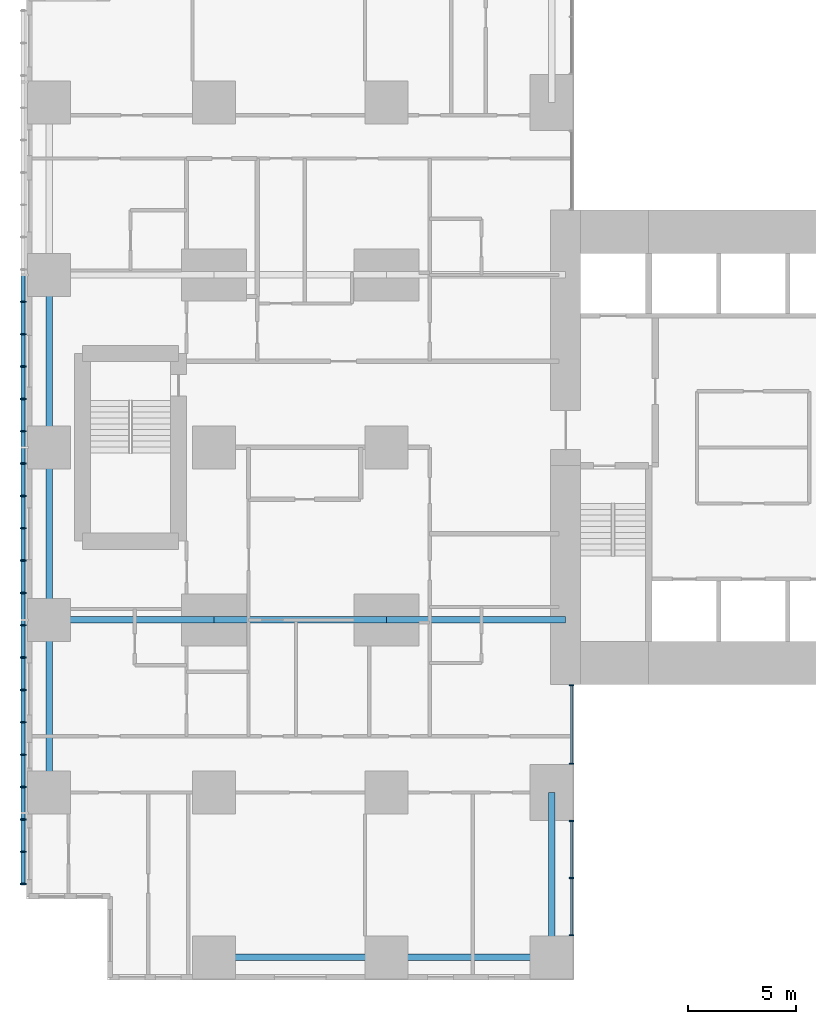
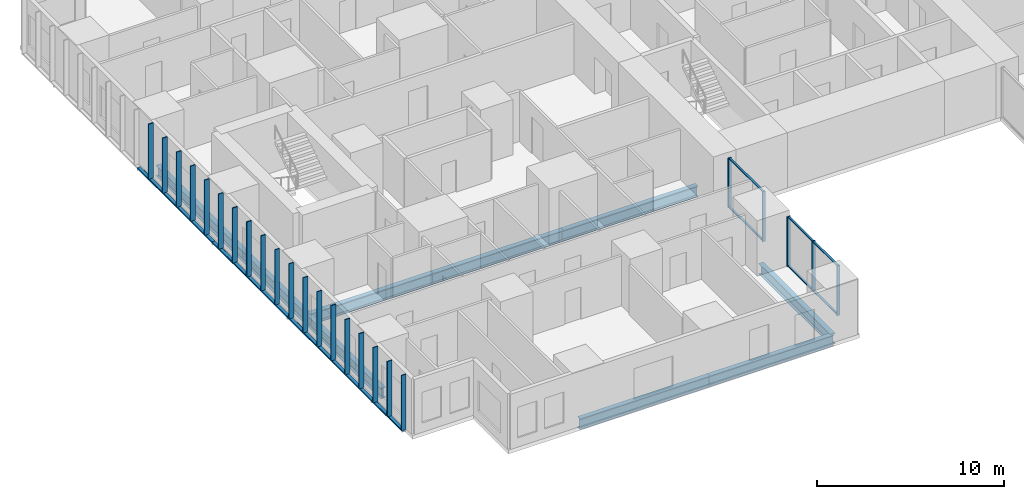
# One storey, part 2 of 20: 33 members, 9 beams, 2 elements without a shape of their own.
"""IFC4 building model written with IfcOpenShell, lengths in metres."""

from ifc_helpers import new_model, si_unit, direction, frame, origin, origin_2d, place, context, subcontext, project, spatial, rectangle, hollow_rectangle, i_section, extrude, material, layer, layer_set, material_profile, profile_set, type_object, element, aggregate, save


model = new_model("IFC4")

# Units and contexts
model_context = context("Model", 3, precision=1e-05, world=origin(), true_north=direction((0.0, 1.0)))
body_context = subcontext(model_context, "Body", "Model", "MODEL_VIEW")
ifc_project = project(units=[si_unit("LENGTHUNIT", "METRE"), si_unit("AREAUNIT", "SQUARE_METRE"), si_unit("VOLUMEUNIT", "CUBIC_METRE"), si_unit("PLANEANGLEUNIT", "RADIAN"), si_unit("MASSUNIT", "GRAM", prefix="KILO")], contexts=[model_context])

# Site, building, storey
site_placement = place(None, origin())
site = spatial("IfcSite", under=ifc_project, at=site_placement, CompositionType="ELEMENT")
building_placement = place(site_placement, origin())
building = spatial("IfcBuilding", under=site, at=building_placement, Name="Cleftline Residences", CompositionType="ELEMENT")
storey_placement = place(building_placement, frame((0.0, 0.0, 87.199951171875)))
storey = spatial("IfcBuildingStorey", under=building, at=storey_placement, Name="L22", CompositionType="ELEMENT", Elevation=87.199951171875)

# Members
ifc_material_1 = material(Name="Steel S355, hot-dip galvanised", Category="steel")
ifc_material_profile_1 = material_profile(ifc_material_1, hollow_rectangle(XDim=0.10009765625, YDim=0.199951171875, WallThickness=0.008056640625, InnerFilletRadius=0.008056640625, OuterFilletRadius=0.011962890625, at=origin_2d()))
ifc_profile_set_1 = profile_set([ifc_material_profile_1], Name="Steel S355, hot-dip galvanised")
member_type_1 = type_object("IfcMemberType", Name="BAGUETTE CARRIER RHS 200X100X8", PredefinedType="USERDEFINED", material=ifc_profile_set_1)
for number, where, z_axis, x_axis, name in (
    (1, (-0.85009765625, 32.0, -0.050048828125), (0.0, -1.0, 0.0), (0.0, 0.0, 1.0), "Baguette carrier"),
    (2, (-0.85009765625, 24.0, -0.050048828125), (0.0, -1.0, 0.0), (0.0, 0.0, 1.0), "Baguette carrier"),
):
    element("IfcMember", number, at=place(storey_placement, frame(where, z_axis=z_axis, x_axis=x_axis)), inside=storey, type_object=member_type_1, Name=name, ObjectType="BAGUETTE CARRIER", PredefinedType="USERDEFINED", context=body_context, shape_type="SweptSolid", body=[
        extrude(hollow_rectangle(XDim=0.10009765625, YDim=0.199951171875, WallThickness=0.008056640625, InnerFilletRadius=0.008056640625, OuterFilletRadius=0.011962890625, at=origin_2d()), origin(), (0.0, 0.0, 1.0), 8.0),
    ])
member_1_placement = place(storey_placement, frame((-0.85009765625, 16.0, -0.050048828125), z_axis=(0.0, -1.0, 0.0), x_axis=(0.0, 0.0, 1.0)))
element("IfcMember", 3, at=member_1_placement, inside=storey, type_object=member_type_1, Name="Baguette carrier", ObjectType="BAGUETTE CARRIER", PredefinedType="USERDEFINED", context=body_context, shape_type="SweptSolid", body=[
    extrude(hollow_rectangle(XDim=0.10009765625, YDim=0.199951171875, WallThickness=0.008056640625, InnerFilletRadius=0.008056640625, OuterFilletRadius=0.011962890625, at=origin_2d()), origin(), (0.0, 0.0, 1.0), 12.300048828125),
])

# Beams
ifc_material_2 = material(Name="Steel S355", Category="steel")
ifc_material_profile_2 = material_profile(ifc_material_2, i_section(OverallWidth=0.300048828125, OverallDepth=0.699951171875, WebThickness=0.01708984375, FlangeThickness=0.031982421875, FilletRadius=0.027099609375, at=origin_2d()))
ifc_profile_set_2 = profile_set([ifc_material_profile_2], Name="Steel S355")
beam_type_1 = type_object("IfcBeamType", Name="BEAM HEB 700", PredefinedType="BEAM", material=ifc_profile_set_2)
for number, where, z_axis, x_axis, name in (
    (4, (0.35009765625, 8.0, -0.599853515625), (0.0, 1.0, 0.0), (-1.0, 0.0, 0.0), "Edge beam"),
    (5, (0.35009765625, 16.0, -0.599853515625), (0.0, 1.0, 0.0), (-1.0, 0.0, 0.0), "Edge beam"),
    (6, (0.35009765625, 24.0, -0.599853515625), (0.0, 1.0, 0.0), (-1.0, 0.0, 0.0), "Edge beam"),
    (7, (8.0, 0.35009765625, -0.599853515625), (1.0, 0.0, 0.0), (0.0, 1.0, 0.0), "Edge beam"),
):
    element("IfcBeam", number, at=place(storey_placement, frame(where, z_axis=z_axis, x_axis=x_axis)), inside=storey, type_object=beam_type_1, Name=name, PredefinedType="BEAM", context=body_context, shape_type="SweptSolid", body=[
        extrude(i_section(OverallWidth=0.300048828125, OverallDepth=0.699951171875, WebThickness=0.01708984375, FlangeThickness=0.031982421875, FilletRadius=0.027099609375, at=origin_2d()), origin(), (0.0, 0.0, 1.0), 8.0),
    ])
for number, where, z_axis, x_axis, name in (
    (8, (16.0, 0.35009765625, -0.599853515625), (1.0, 0.0, 0.0), (0.0, 1.0, 0.0), "Edge beam"),
    (9, (23.64990234375, 0.35009765625, -0.599853515625), (0.0, 1.0, 0.0), (-1.0, 0.0, 0.0), "Edge beam"),
):
    element("IfcBeam", number, at=place(storey_placement, frame(where, z_axis=z_axis, x_axis=x_axis)), inside=storey, type_object=beam_type_1, Name=name, PredefinedType="BEAM", context=body_context, shape_type="SweptSolid", body=[
        extrude(i_section(OverallWidth=0.300048828125, OverallDepth=0.699951171875, WebThickness=0.01708984375, FlangeThickness=0.031982421875, FilletRadius=0.027099609375, at=origin_2d()), origin(), (0.0, 0.0, 1.0), 7.64990234375),
    ])
ifc_material_3 = material(Name="Steel S355", Category="steel")
ifc_material_profile_3 = material_profile(ifc_material_3, i_section(OverallWidth=0.303955078125, OverallDepth=0.716064453125, WebThickness=0.02099609375, FlangeThickness=0.0400390625, FilletRadius=0.027099609375, at=origin_2d()))
ifc_profile_set_3 = profile_set([ifc_material_profile_3], Name="Steel S355")
beam_type_2 = type_object("IfcBeamType", Name="BEAM HEM 700", PredefinedType="BEAM", material=ifc_profile_set_3)
beam_1_placement = place(storey_placement, frame((0.35009765625, 16.0, -0.60791015625), z_axis=(1.0, 0.0, 0.0), x_axis=(0.0, 1.0, 0.0)))
element("IfcBeam", 10, at=beam_1_placement, inside=storey, type_object=beam_type_2, Name="Band beam", PredefinedType="BEAM", context=body_context, shape_type="SweptSolid", body=[
    extrude(i_section(OverallWidth=0.303955078125, OverallDepth=0.716064453125, WebThickness=0.02099609375, FlangeThickness=0.0400390625, FilletRadius=0.027099609375, at=origin_2d()), origin(), (0.0, 0.0, 1.0), 7.64990234375),
])
beam_2_placement = place(storey_placement, frame((8.0, 16.0, -0.60791015625), z_axis=(1.0, 0.0, 0.0), x_axis=(0.0, 1.0, 0.0)))
element("IfcBeam", 11, at=beam_2_placement, inside=storey, type_object=beam_type_2, Name="Band beam", PredefinedType="BEAM", context=body_context, shape_type="SweptSolid", body=[
    extrude(i_section(OverallWidth=0.303955078125, OverallDepth=0.716064453125, WebThickness=0.02099609375, FlangeThickness=0.0400390625, FilletRadius=0.027099609375, at=origin_2d()), origin(), (0.0, 0.0, 1.0), 8.0),
])
beam_3_placement = place(storey_placement, frame((16.0, 16.0, -0.60791015625), z_axis=(1.0, 0.0, 0.0), x_axis=(0.0, 1.0, 0.0)))
element("IfcBeam", 12, at=beam_3_placement, inside=storey, type_object=beam_type_2, Name="Band beam", PredefinedType="BEAM", context=body_context, shape_type="SweptSolid", body=[
    extrude(i_section(OverallWidth=0.303955078125, OverallDepth=0.716064453125, WebThickness=0.02099609375, FlangeThickness=0.0400390625, FilletRadius=0.027099609375, at=origin_2d()), origin(), (0.0, 0.0, 1.0), 8.300048828125),
])

# Curtain wall, members
ifc_material_4 = material(Name="Aluminium framed curtain wall", Category="aluminium")
ifc_layer = layer(ifc_material_4, 0.199951171875)
ifc_layer_set = layer_set([ifc_layer], Name="CW1 CLEFT GLAZING")
curtain_wall_type = type_object("IfcCurtainWallType", Name="CW1 CLEFT GLAZING", PredefinedType="NOTDEFINED", material=ifc_layer_set)
curtain_wall_1_placement = place(storey_placement, origin())
curtain_wall_1 = element("IfcCurtainWall", 13, at=curtain_wall_1_placement, inside=storey, type_object=curtain_wall_type, Name="Curtain wall CW1", PredefinedType="NOTDEFINED")
ifc_material_5 = material(Name="Aluminium mullion", Category="aluminium")
ifc_material_profile_4 = material_profile(ifc_material_5, rectangle(XDim=0.199951171875, YDim=0.06005859375, at=origin_2d()))
ifc_profile_set_4 = profile_set([ifc_material_profile_4], Name="Aluminium mullion")
member_type_2 = type_object("IfcMemberType", Name="CW1 MULLION", PredefinedType="MULLION", material=ifc_profile_set_4)
member_2_placement = place(storey_placement, frame((24.574951171875, 1.3798828125, 0.0), z_axis=(0.0, 0.0, 1.0), x_axis=(-1.0, 0.0, 0.0)))
member_2 = element("IfcMember", 14, at=member_2_placement, type_object=member_type_2, Name="CW1 mullion 1", PredefinedType="MULLION", context=body_context, shape_type="SweptSolid", body=[
    extrude(rectangle(XDim=0.199951171875, YDim=0.06005859375, at=origin_2d()), origin(), (0.0, 0.0, 1.0), 3.25),
])
member_3_placement = place(storey_placement, frame((24.574951171875, 4.02490234375, 0.0), z_axis=(0.0, 0.0, 1.0), x_axis=(-1.0, 0.0, 0.0)))
member_3 = element("IfcMember", 15, at=member_3_placement, type_object=member_type_2, Name="CW1 mullion 2", PredefinedType="MULLION", context=body_context, shape_type="SweptSolid", body=[
    extrude(rectangle(XDim=0.199951171875, YDim=0.06005859375, at=origin_2d()), origin(), (0.0, 0.0, 1.0), 3.25),
])
member_4_placement = place(storey_placement, frame((24.574951171875, 6.669921875, 0.0), z_axis=(0.0, 0.0, 1.0), x_axis=(-1.0, 0.0, 0.0)))
member_4 = element("IfcMember", 16, at=member_4_placement, type_object=member_type_2, Name="CW1 mullion 3", PredefinedType="MULLION", context=body_context, shape_type="SweptSolid", body=[
    extrude(rectangle(XDim=0.199951171875, YDim=0.06005859375, at=origin_2d()), origin(), (0.0, 0.0, 1.0), 3.25),
])

curtain_wall_2_placement = place(storey_placement, origin())
curtain_wall_2 = element("IfcCurtainWall", 17, at=curtain_wall_2_placement, inside=storey, type_object=curtain_wall_type, Name="Curtain wall CW1", PredefinedType="NOTDEFINED")
member_5_placement = place(storey_placement, frame((24.574951171875, 9.330078125, 0.0), z_axis=(0.0, 0.0, 1.0), x_axis=(-1.0, 0.0, 0.0)))
member_5 = element("IfcMember", 18, at=member_5_placement, type_object=member_type_2, Name="CW1 mullion 1", PredefinedType="MULLION", context=body_context, shape_type="SweptSolid", body=[
    extrude(rectangle(XDim=0.199951171875, YDim=0.06005859375, at=origin_2d()), origin(), (0.0, 0.0, 1.0), 3.25),
])
member_6_placement = place(storey_placement, frame((24.574951171875, 12.969970703125, 0.0), z_axis=(0.0, 0.0, 1.0), x_axis=(-1.0, 0.0, 0.0)))
member_6 = element("IfcMember", 19, at=member_6_placement, type_object=member_type_2, Name="CW1 mullion 2", PredefinedType="MULLION", context=body_context, shape_type="SweptSolid", body=[
    extrude(rectangle(XDim=0.199951171875, YDim=0.06005859375, at=origin_2d()), origin(), (0.0, 0.0, 1.0), 3.25),
])

# Member
ifc_material_6 = material(Name="Aluminium transom", Category="aluminium")
ifc_material_profile_5 = material_profile(ifc_material_6, rectangle(XDim=0.1201171875, YDim=0.06005859375, at=origin_2d()))
ifc_profile_set_5 = profile_set([ifc_material_profile_5], Name="Aluminium transom")
member_type_3 = type_object("IfcMemberType", Name="CW1 TRANSOM", PredefinedType="USERDEFINED", material=ifc_profile_set_5)
member_7_placement = place(storey_placement, frame((24.574951171875, 1.409912109375, 0.030029296875), z_axis=(0.0, 1.0, 0.0), x_axis=(-1.0, 0.0, 0.0)))
member_7 = element("IfcMember", 20, at=member_7_placement, type_object=member_type_3, Name="CW1 transom 1.1", ObjectType="TRANSOM", PredefinedType="USERDEFINED", context=body_context, shape_type="SweptSolid", body=[
    extrude(rectangle(XDim=0.1201171875, YDim=0.06005859375, at=origin_2d()), origin(), (0.0, 0.0, 1.0), 2.585205078125),
])

member_8_placement = place(storey_placement, frame((24.574951171875, 1.409912109375, 3.219970703125), z_axis=(0.0, 1.0, 0.0), x_axis=(-1.0, 0.0, 0.0)))
member_8 = element("IfcMember", 21, at=member_8_placement, type_object=member_type_3, Name="CW1 transom 1.2", ObjectType="TRANSOM", PredefinedType="USERDEFINED", context=body_context, shape_type="SweptSolid", body=[
    extrude(rectangle(XDim=0.1201171875, YDim=0.06005859375, at=origin_2d()), origin(), (0.0, 0.0, 1.0), 2.585205078125),
])

member_9_placement = place(storey_placement, frame((24.574951171875, 4.054931640625, 0.030029296875), z_axis=(0.0, 1.0, 0.0), x_axis=(-1.0, 0.0, 0.0)))
member_9 = element("IfcMember", 22, at=member_9_placement, type_object=member_type_3, Name="CW1 transom 2.1", ObjectType="TRANSOM", PredefinedType="USERDEFINED", context=body_context, shape_type="SweptSolid", body=[
    extrude(rectangle(XDim=0.1201171875, YDim=0.06005859375, at=origin_2d()), origin(), (0.0, 0.0, 1.0), 2.5849609375),
])

member_10_placement = place(storey_placement, frame((24.574951171875, 4.054931640625, 3.219970703125), z_axis=(0.0, 1.0, 0.0), x_axis=(-1.0, 0.0, 0.0)))
member_10 = element("IfcMember", 23, at=member_10_placement, type_object=member_type_3, Name="CW1 transom 2.2", ObjectType="TRANSOM", PredefinedType="USERDEFINED", context=body_context, shape_type="SweptSolid", body=[
    extrude(rectangle(XDim=0.1201171875, YDim=0.06005859375, at=origin_2d()), origin(), (0.0, 0.0, 1.0), 2.5849609375),
])

aggregate(curtain_wall_1, [member_2, member_3, member_4, member_7, member_8, member_9, member_10])

member_11_placement = place(storey_placement, frame((24.574951171875, 9.360107421875, 0.030029296875), z_axis=(0.0, 1.0, 0.0), x_axis=(-1.0, 0.0, 0.0)))
member_11 = element("IfcMember", 24, at=member_11_placement, type_object=member_type_3, Name="CW1 transom 1.1", ObjectType="TRANSOM", PredefinedType="USERDEFINED", context=body_context, shape_type="SweptSolid", body=[
    extrude(rectangle(XDim=0.1201171875, YDim=0.06005859375, at=origin_2d()), origin(), (0.0, 0.0, 1.0), 3.579833984375),
])

member_12_placement = place(storey_placement, frame((24.574951171875, 9.360107421875, 3.219970703125), z_axis=(0.0, 1.0, 0.0), x_axis=(-1.0, 0.0, 0.0)))
member_12 = element("IfcMember", 25, at=member_12_placement, type_object=member_type_3, Name="CW1 transom 1.2", ObjectType="TRANSOM", PredefinedType="USERDEFINED", context=body_context, shape_type="SweptSolid", body=[
    extrude(rectangle(XDim=0.1201171875, YDim=0.06005859375, at=origin_2d()), origin(), (0.0, 0.0, 1.0), 3.579833984375),
])

aggregate(curtain_wall_2, [member_5, member_6, member_11, member_12])

# Members
ifc_material_7 = material(Name="Extruded terracotta", Category="masonry")
ifc_material_profile_6 = material_profile(ifc_material_7, rectangle(XDim=0.06005859375, YDim=0.300048828125, at=origin_2d()))
ifc_profile_set_6 = profile_set([ifc_material_profile_6], Name="Extruded terracotta")
member_type_4 = type_object("IfcMemberType", Name="TERRACOTTA BAGUETTE 60X300", PredefinedType="USERDEFINED", material=ifc_profile_set_6)
for number, where, z_axis, x_axis, name in (
    (26, (-0.85009765625, 30.75, 0.0), (0.0, 0.0, 1.0), (0.0, 1.0, 0.0), "Terracotta baguette"),
    (27, (-0.85009765625, 29.25, 0.0), (0.0, 0.0, 1.0), (0.0, 1.0, 0.0), "Terracotta baguette"),
    (28, (-0.85009765625, 27.75, 0.0), (0.0, 0.0, 1.0), (0.0, 1.0, 0.0), "Terracotta baguette"),
    (29, (-0.85009765625, 26.25, 0.0), (0.0, 0.0, 1.0), (0.0, 1.0, 0.0), "Terracotta baguette"),
    (30, (-0.85009765625, 24.75, 0.0), (0.0, 0.0, 1.0), (0.0, 1.0, 0.0), "Terracotta baguette"),
    (31, (-0.85009765625, 23.25, 0.0), (0.0, 0.0, 1.0), (0.0, 1.0, 0.0), "Terracotta baguette"),
    (32, (-0.85009765625, 21.75, 0.0), (0.0, 0.0, 1.0), (0.0, 1.0, 0.0), "Terracotta baguette"),
    (33, (-0.85009765625, 20.25, 0.0), (0.0, 0.0, 1.0), (0.0, 1.0, 0.0), "Terracotta baguette"),
    (34, (-0.85009765625, 18.75, 0.0), (0.0, 0.0, 1.0), (0.0, 1.0, 0.0), "Terracotta baguette"),
    (35, (-0.85009765625, 17.25, 0.0), (0.0, 0.0, 1.0), (0.0, 1.0, 0.0), "Terracotta baguette"),
    (36, (-0.85009765625, 15.75, 0.0), (0.0, 0.0, 1.0), (0.0, 1.0, 0.0), "Terracotta baguette"),
    (37, (-0.85009765625, 14.25, 0.0), (0.0, 0.0, 1.0), (0.0, 1.0, 0.0), "Terracotta baguette"),
    (38, (-0.85009765625, 12.75, 0.0), (0.0, 0.0, 1.0), (0.0, 1.0, 0.0), "Terracotta baguette"),
    (39, (-0.85009765625, 11.25, 0.0), (0.0, 0.0, 1.0), (0.0, 1.0, 0.0), "Terracotta baguette"),
    (40, (-0.85009765625, 9.75, 0.0), (0.0, 0.0, 1.0), (0.0, 1.0, 0.0), "Terracotta baguette"),
    (41, (-0.85009765625, 8.25, 0.0), (0.0, 0.0, 1.0), (0.0, 1.0, 0.0), "Terracotta baguette"),
    (42, (-0.85009765625, 6.75, 0.0), (0.0, 0.0, 1.0), (0.0, 1.0, 0.0), "Terracotta baguette"),
    (43, (-0.85009765625, 5.25, 0.0), (0.0, 0.0, 1.0), (0.0, 1.0, 0.0), "Terracotta baguette"),
    (44, (-0.85009765625, 3.75, 0.0), (0.0, 0.0, 1.0), (0.0, 1.0, 0.0), "Terracotta baguette"),
):
    element("IfcMember", number, at=place(storey_placement, frame(where, z_axis=z_axis, x_axis=x_axis)), inside=storey, type_object=member_type_4, Name=name, ObjectType="BAGUETTE", PredefinedType="USERDEFINED", context=body_context, shape_type="SweptSolid", body=[
        extrude(rectangle(XDim=0.06005859375, YDim=0.300048828125, at=origin_2d()), origin(), (0.0, 0.0, 1.0), 3.60009765625),
    ])

save(model, "model.ifc")
